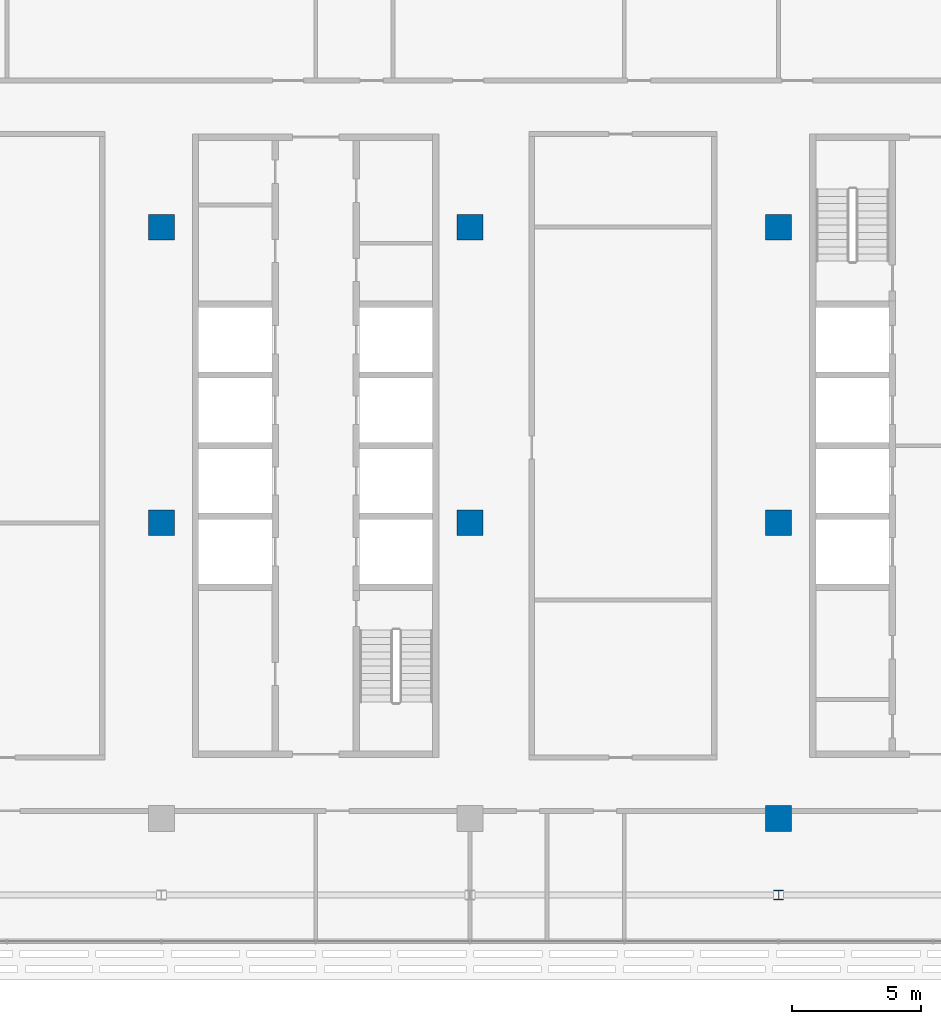
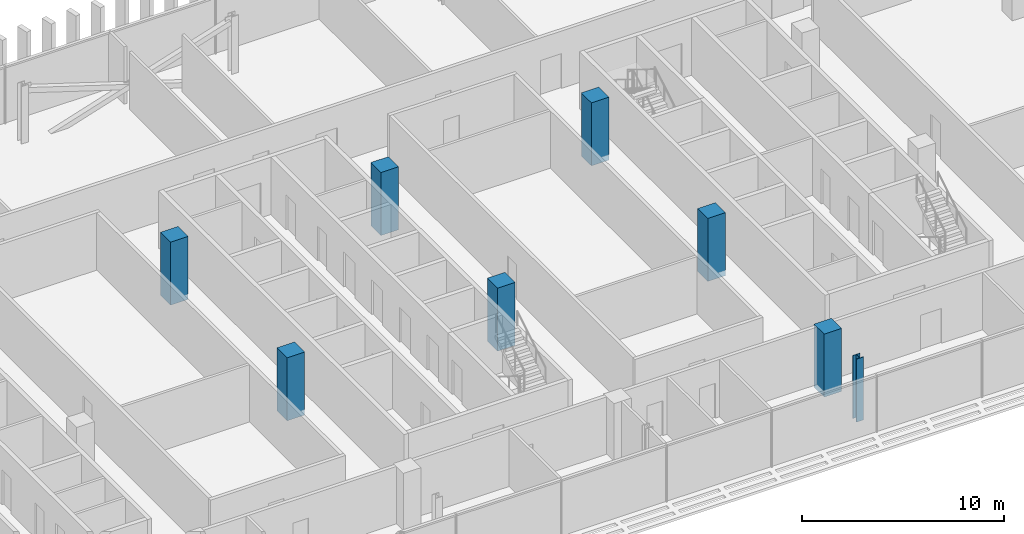
# One storey, part 2 of 32: 8 columns.
"""IFC4 building model written with IfcOpenShell, lengths in metres."""

from ifc_helpers import new_model, si_unit, direction, frame, origin, origin_2d, place, context, subcontext, project, spatial, rectangle, i_section, extrude, material, material_profile, profile_set, type_object, element, save


model = new_model("IFC4")

# Units and contexts
model_context = context("Model", 3, precision=1e-05, world=origin(), true_north=direction((0.0, 1.0)))
body_context = subcontext(model_context, "Body", "Model", "MODEL_VIEW")
ifc_project = project(units=[si_unit("LENGTHUNIT", "METRE"), si_unit("AREAUNIT", "SQUARE_METRE"), si_unit("VOLUMEUNIT", "CUBIC_METRE"), si_unit("PLANEANGLEUNIT", "RADIAN"), si_unit("MASSUNIT", "GRAM", prefix="KILO")], contexts=[model_context])

# Site, building, storey
site_placement = place(None, origin())
site = spatial("IfcSite", under=ifc_project, at=site_placement, CompositionType="ELEMENT")
building_placement = place(site_placement, origin())
building = spatial("IfcBuilding", under=site, at=building_placement, Name="Mahtab Terrace Research Tower", CompositionType="ELEMENT")
storey_placement = place(building_placement, frame((0.0, 0.0, 236.199951171875)))
storey = spatial("IfcBuildingStorey", under=building, at=storey_placement, Name="L57", CompositionType="ELEMENT", Elevation=236.199951171875)

# Columns
ifc_material_1 = material(Name="Concrete C70/85", Category="concrete")
ifc_material_profile_1 = material_profile(ifc_material_1, rectangle(XDim=1.0, YDim=1.0, at=origin_2d()), Name="RC column 1000x1000")
ifc_profile_set_1 = profile_set([ifc_material_profile_1], Name="Concrete C70/85")
column_type_1 = type_object("IfcColumnType", Name="RC column 1000x1000", PredefinedType="COLUMN", material=ifc_profile_set_1)
for number, where, z_axis, x_axis, name in (
    (1, (-6.0, 0.0, -0.33984375), (0.0, 0.0, 1.0), (1.0, 0.0, 0.0), "Column RC-4B L57"),
    (2, (-6.0, 11.5, -0.33984375), (0.0, 0.0, 1.0), (1.0, 0.0, 0.0), "Column RC-4C L57"),
    (3, (6.0, 0.0, -0.33984375), (0.0, 0.0, 1.0), (1.0, 0.0, 0.0), "Column RC-5B L57"),
    (4, (6.0, 11.5, -0.33984375), (0.0, 0.0, 1.0), (1.0, 0.0, 0.0), "Column RC-5C L57"),
    (5, (18.0, -11.5, -0.33984375), (0.0, 0.0, 1.0), (1.0, 0.0, 0.0), "Column RC-6A L57"),
    (6, (18.0, 0.0, -0.33984375), (0.0, 0.0, 1.0), (1.0, 0.0, 0.0), "Column RC-6B L57"),
    (7, (18.0, 11.5, -0.33984375), (0.0, 0.0, 1.0), (1.0, 0.0, 0.0), "Column RC-6C L57"),
):
    element("IfcColumn", number, at=place(storey_placement, frame(where, z_axis=z_axis, x_axis=x_axis)), inside=storey, type_object=column_type_1, Name=name, PredefinedType="COLUMN", context=body_context, shape_type="SweptSolid", body=[
        extrude(rectangle(XDim=1.0, YDim=1.0, at=origin_2d()), origin(), (0.0, 0.0, 1.0), 3.7998046875),
    ])
ifc_material_2 = material(Name="Steel ASTM A992 Gr 50", Category="steel")
ifc_material_profile_2 = material_profile(ifc_material_2, i_section(OverallWidth=0.398681640625, OverallDepth=0.385986328125, WebThickness=0.02099609375, FlangeThickness=0.033203125, at=origin_2d()), Name="W14X176")
ifc_profile_set_2 = profile_set([ifc_material_profile_2], Name="Steel ASTM A992 Gr 50")
column_type_2 = type_object("IfcColumnType", Name="W14x176 column CS14176", PredefinedType="COLUMN", material=ifc_profile_set_2)
column_placement = place(storey_placement, frame((18.0, -14.472900390625, -0.33984375), z_axis=(0.0, 0.0, 1.0), x_axis=(1.0, 0.0, 0.0)))
element("IfcColumn", 8, at=column_placement, inside=storey, type_object=column_type_2, Name="Column SC-066 L57", PredefinedType="COLUMN", context=body_context, shape_type="SweptSolid", body=[
    extrude(i_section(OverallWidth=0.398681640625, OverallDepth=0.385986328125, WebThickness=0.02099609375, FlangeThickness=0.033203125, at=origin_2d()), origin(), (0.0, 0.0, 1.0), 3.7998046875),
])

save(model, "model.ifc")
